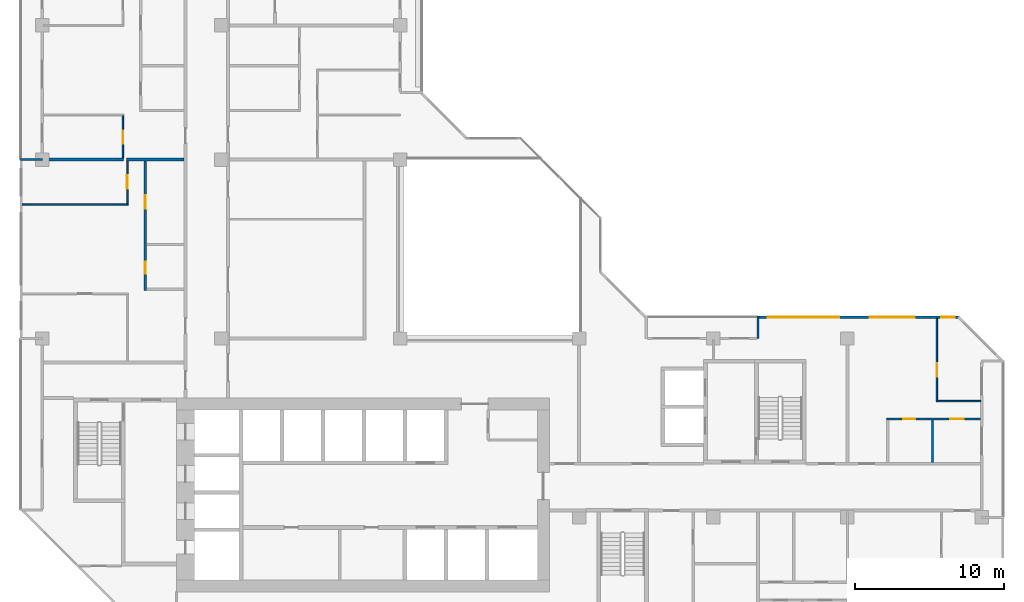
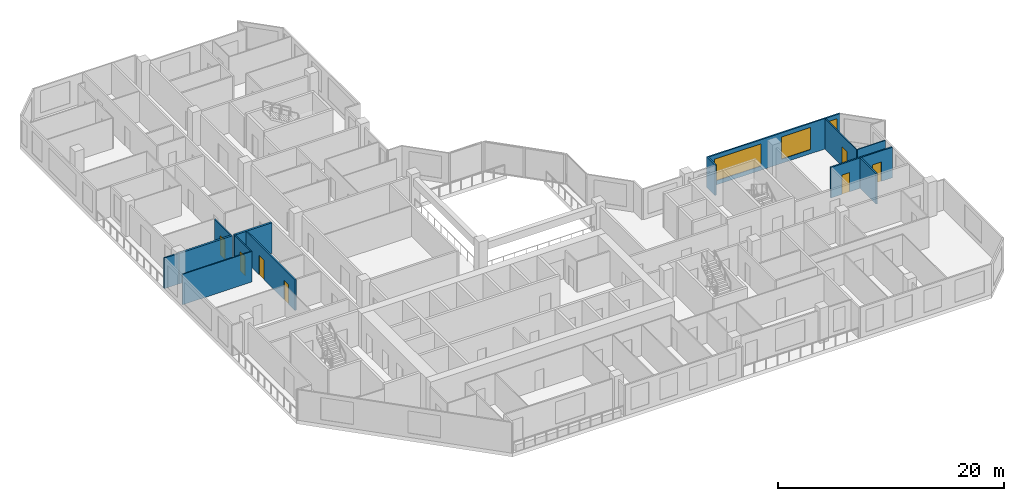
# One storey, part 8 of 15: 13 walls, 7 doors, 3 windows, 10 openings.
"""IFC4 building model written with IfcOpenShell, lengths in metres."""

from ifc_helpers import new_model, si_unit, direction, frame, frame_2d, origin, place, context, subcontext, project, spatial, rectangle, extrude, material, layer, layer_set, type_object, element, fill, save


model = new_model("IFC4")

# Units and contexts
model_context = context("Model", 3, precision=1e-05, world=origin(), true_north=direction((0.0, 1.0)))
body_context = subcontext(model_context, "Body", "Model", "MODEL_VIEW")
ifc_project = project(units=[si_unit("LENGTHUNIT", "METRE"), si_unit("AREAUNIT", "SQUARE_METRE"), si_unit("VOLUMEUNIT", "CUBIC_METRE"), si_unit("PLANEANGLEUNIT", "RADIAN"), si_unit("MASSUNIT", "GRAM", prefix="KILO")], contexts=[model_context])

# Site, building, storey
site_placement = place(None, origin())
site = spatial("IfcSite", under=ifc_project, at=site_placement, CompositionType="ELEMENT")
building_placement = place(site_placement, origin())
building = spatial("IfcBuilding", under=site, at=building_placement, Name="Chenar Terraces", CompositionType="ELEMENT")
storey_placement = place(building_placement, frame((0.0, 0.0, 202.39990234375)))
storey = spatial("IfcBuildingStorey", under=building, at=storey_placement, Name="L47", CompositionType="ELEMENT", Elevation=202.39990234375)

# Wall, openings, windows
ifc_material_1 = material(Name="Aluminium framed glazing", Category="aluminium")
ifc_layer_1 = layer(ifc_material_1, 0.14990234375)
ifc_layer_set_1 = layer_set([ifc_layer_1], Name="Aluminium framed glazing")
wall_type_1 = type_object("IfcWallType", Name="Glazed flush facade wall 150", PredefinedType="SOLIDWALL", material=ifc_layer_set_1)
wall_1_placement = place(storey_placement, frame((61.5, 25.425048828125, 0.0), z_axis=(0.0, 0.0, 1.0), x_axis=(-1.0, 0.0, 0.0)))
wall_1 = element("IfcWall", 1, at=wall_1_placement, inside=storey, type_object=wall_type_1, Name="Glazed flush facade wall", PredefinedType="SOLIDWALL", context=body_context, shape_type="SweptSolid", body=[
    extrude(rectangle(XDim=13.425048828125, YDim=0.14990234375, at=frame_2d((6.71240234375, 0.0))), origin(), (0.0, 0.0, 1.0), 3.300048828125),
])
opening_1_placement = place(wall_1_placement, frame((0.300048828125, 0.0, 0.449951171875)))
opening_1 = element("IfcOpeningElement", 2, at=opening_1_placement, cuts=wall_1, Name="Opening W90x240", PredefinedType="OPENING", context=body_context, shape_type="SweptSolid", body=[
    extrude(rectangle(XDim=0.89990234375, YDim=2.39990234375, at=frame_2d((0.449951171875, 1.199951171875))), frame((0.0, 0.0849609375, 0.0), z_axis=(0.0, -1.0, 0.0), x_axis=(1.0, 0.0, 0.0)), (0.0, 0.0, 1.0), 0.169921875),
])
opening_2_placement = place(wall_1_placement, frame((3.0, 0.0, 0.449951171875)))
opening_2 = element("IfcOpeningElement", 3, at=opening_2_placement, cuts=wall_1, Name="Opening W300x240", PredefinedType="OPENING", context=body_context, shape_type="SweptSolid", body=[
    extrude(rectangle(XDim=3.0, YDim=2.39990234375, at=frame_2d((1.5, 1.199951171875))), frame((0.0, 0.0849609375, 0.0), z_axis=(0.0, -1.0, 0.0), x_axis=(1.0, 0.0, 0.0)), (0.0, 0.0, 1.0), 0.169921875),
])
opening_3_placement = place(wall_1_placement, frame((8.0625, 0.0, 0.449951171875)))
opening_3 = element("IfcOpeningElement", 4, at=opening_3_placement, cuts=wall_1, Name="Opening W480x240", PredefinedType="OPENING", context=body_context, shape_type="SweptSolid", body=[
    extrude(rectangle(XDim=4.800048828125, YDim=2.39990234375, at=frame_2d((2.39990234375, 1.199951171875))), frame((0.0, 0.0849609375, 0.0), z_axis=(0.0, -1.0, 0.0), x_axis=(1.0, 0.0, 0.0)), (0.0, 0.0, 1.0), 0.169921875),
])
ifc_material_2 = material(Name="Low emissivity double glazing, aluminium frame", Category="aluminium")
window_type_1 = type_object("IfcWindowType", Name="Fixed light 3000 x 2400", PartitioningType="SINGLE_PANEL", PredefinedType="WINDOW", material=ifc_material_2)
window_1_placement = place(opening_2_placement, origin())
window_1 = element("IfcWindow", 5, at=window_1_placement, inside=storey, type_object=window_type_1, Name="Window", OverallHeight=2.39990234375, OverallWidth=3.0, PartitioningType="SINGLE_PANEL", PredefinedType="WINDOW", context=body_context, shape_type="SweptSolid", body=[
    extrude(rectangle(XDim=3.0, YDim=2.39990234375, at=frame_2d((1.5, 1.199951171875))), frame((0.0, 0.030029296875, 0.0), z_axis=(0.0, -1.0, 0.0), x_axis=(1.0, 0.0, 0.0)), (0.0, 0.0, 1.0), 0.06005859375),
])
fill(opening_2, window_1)
ifc_material_3 = material(Name="Low emissivity double glazing, aluminium frame", Category="aluminium")
window_type_2 = type_object("IfcWindowType", Name="Fixed light 4800 x 2400", PartitioningType="SINGLE_PANEL", PredefinedType="WINDOW", material=ifc_material_3)
window_2_placement = place(opening_3_placement, origin())
window_2 = element("IfcWindow", 6, at=window_2_placement, inside=storey, type_object=window_type_2, Name="Window", OverallHeight=2.39990234375, OverallWidth=4.800048828125, PartitioningType="SINGLE_PANEL", PredefinedType="WINDOW", context=body_context, shape_type="SweptSolid", body=[
    extrude(rectangle(XDim=4.800048828125, YDim=2.39990234375, at=frame_2d((2.39990234375, 1.199951171875))), frame((0.0, 0.030029296875, 0.0), z_axis=(0.0, -1.0, 0.0), x_axis=(1.0, 0.0, 0.0)), (0.0, 0.0, 1.0), 0.06005859375),
])
fill(opening_3, window_2)
ifc_material_4 = material(Name="Low emissivity double glazing, aluminium frame", Category="aluminium")
window_type_3 = type_object("IfcWindowType", Name="Fixed light 900 x 2400", PartitioningType="SINGLE_PANEL", PredefinedType="WINDOW", material=ifc_material_4)
window_3_placement = place(opening_1_placement, origin())
window_3 = element("IfcWindow", 7, at=window_3_placement, inside=storey, type_object=window_type_3, Name="Window", OverallHeight=2.39990234375, OverallWidth=0.89990234375, PartitioningType="SINGLE_PANEL", PredefinedType="WINDOW", context=body_context, shape_type="SweptSolid", body=[
    extrude(rectangle(XDim=0.89990234375, YDim=2.39990234375, at=frame_2d((0.449951171875, 1.199951171875))), frame((0.0, 0.030029296875, 0.0), z_axis=(0.0, -1.0, 0.0), x_axis=(1.0, 0.0, 0.0)), (0.0, 0.0, 1.0), 0.06005859375),
])
fill(opening_1, window_3)

# Wall
ifc_material_5 = material(Name="Gypsum board on steel studs", Category="steel")
ifc_layer_2 = layer(ifc_material_5, 0.10009765625)
ifc_layer_set_2 = layer_set([ifc_layer_2], Name="Gypsum board on steel studs")
wall_type_2 = type_object("IfcWallType", Name="Gypsum partition 100", PredefinedType="PARTITIONING", material=ifc_layer_set_2)
wall_2_placement = place(storey_placement, frame((-1.35009765625, 33.0, 0.0), z_axis=(0.0, 0.0, 1.0), x_axis=(1.0, 0.0, 0.0)))
element("IfcWall", 8, at=wall_2_placement, inside=storey, type_object=wall_type_2, Name="Partition L47-003", PredefinedType="PARTITIONING", context=body_context, shape_type="SweptSolid", body=[
    extrude(rectangle(XDim=7.10009765625, YDim=0.10009765625, at=frame_2d((3.550048828125, 0.0))), origin(), (0.0, 0.0, 1.0), 3.300048828125),
])

# Wall, opening, door
wall_3_placement = place(storey_placement, frame((5.39990234375, 36.10009765625, 0.0), z_axis=(0.0, 0.0, 1.0), x_axis=(0.0, 1.0, 0.0)))
wall_3 = element("IfcWall", 9, at=wall_3_placement, inside=storey, type_object=wall_type_2, Name="Partition L47-013", PredefinedType="PARTITIONING", context=body_context, shape_type="SweptSolid", body=[
    extrude(rectangle(XDim=2.849853515625, YDim=0.10009765625, at=frame_2d((1.4248046875, 0.0))), origin(), (0.0, 0.0, 1.0), 3.300048828125),
])
opening_4_placement = place(wall_3_placement, frame((0.949951171875, 0.0, 0.0)))
opening_4 = element("IfcOpeningElement", 10, at=opening_4_placement, cuts=wall_3, Name="Opening DL47-26", PredefinedType="OPENING", context=body_context, shape_type="SweptSolid", body=[
    extrude(rectangle(XDim=0.89990234375, YDim=2.10009765625, at=frame_2d((0.449951171875, 1.050048828125))), frame((0.0, 0.06005859375, 0.0), z_axis=(0.0, -1.0, 0.0), x_axis=(1.0, 0.0, 0.0)), (0.0, 0.0, 1.0), 0.1201171875),
])
ifc_material_6 = material(Name="Veneered timber door leaf", Category="wood")
door_type_1 = type_object("IfcDoorType", Name="Door 900 x 2100", OperationType="SINGLE_SWING_LEFT", PredefinedType="DOOR", material=ifc_material_6)
door_1_placement = place(opening_4_placement, origin())
door_1 = element("IfcDoor", 11, at=door_1_placement, inside=storey, type_object=door_type_1, Name="Door DL47-26", OperationType="SINGLE_SWING_RIGHT", OverallHeight=2.10009765625, OverallWidth=0.89990234375, PredefinedType="DOOR", context=body_context, shape_type="SweptSolid", body=[
    extrude(rectangle(XDim=0.89990234375, YDim=2.10009765625, at=frame_2d((0.449951171875, 1.050048828125))), frame((0.0, 0.02490234375, 0.0), z_axis=(0.0, -1.0, 0.0), x_axis=(1.0, 0.0, 0.0)), (0.0, 0.0, 1.0), 0.050048828125),
])
fill(opening_4, door_1)

wall_4_placement = place(storey_placement, frame((5.699951171875, 33.050048828125, 0.0), z_axis=(0.0, 0.0, 1.0), x_axis=(0.0, 1.0, 0.0)))
wall_4 = element("IfcWall", 12, at=wall_4_placement, inside=storey, type_object=wall_type_2, Name="Partition L47-020", PredefinedType="PARTITIONING", context=body_context, shape_type="SweptSolid", body=[
    extrude(rectangle(XDim=2.849853515625, YDim=0.10009765625, at=frame_2d((1.4248046875, 0.0))), origin(), (0.0, 0.0, 1.0), 3.300048828125),
])
opening_5_placement = place(wall_4_placement, frame((1.0, 0.0, 0.0)))
opening_5 = element("IfcOpeningElement", 13, at=opening_5_placement, cuts=wall_4, Name="Opening DL47-58", PredefinedType="OPENING", context=body_context, shape_type="SweptSolid", body=[
    extrude(rectangle(XDim=0.89990234375, YDim=2.10009765625, at=frame_2d((0.449951171875, 1.050048828125))), frame((0.0, 0.06005859375, 0.0), z_axis=(0.0, -1.0, 0.0), x_axis=(1.0, 0.0, 0.0)), (0.0, 0.0, 1.0), 0.1201171875),
])
door_2_placement = place(opening_5_placement, origin())
door_2 = element("IfcDoor", 14, at=door_2_placement, inside=storey, type_object=door_type_1, Name="Door DL47-58", OperationType="SINGLE_SWING_LEFT", OverallHeight=2.10009765625, OverallWidth=0.89990234375, PredefinedType="DOOR", context=body_context, shape_type="SweptSolid", body=[
    extrude(rectangle(XDim=0.89990234375, YDim=2.10009765625, at=frame_2d((0.449951171875, 1.050048828125))), frame((0.0, 0.02490234375, 0.0), z_axis=(0.0, -1.0, 0.0), x_axis=(1.0, 0.0, 0.0)), (0.0, 0.0, 1.0), 0.050048828125),
])
fill(opening_5, door_2)

wall_5_placement = place(storey_placement, frame((60.0, 19.75, 0.0), z_axis=(0.0, 0.0, 1.0), x_axis=(0.0, 1.0, 0.0)))
wall_5 = element("IfcWall", 15, at=wall_5_placement, inside=storey, type_object=wall_type_2, Name="Partition L47-087", PredefinedType="PARTITIONING", context=body_context, shape_type="SweptSolid", body=[
    extrude(rectangle(XDim=5.60009765625, YDim=0.10009765625, at=frame_2d((2.800048828125, 0.0))), origin(), (0.0, 0.0, 1.0), 3.300048828125),
])
opening_6_placement = place(wall_5_placement, frame((1.699951171875, 0.0, 0.0)))
opening_6 = element("IfcOpeningElement", 16, at=opening_6_placement, cuts=wall_5, Name="Opening DL47-5", PredefinedType="OPENING", context=body_context, shape_type="SweptSolid", body=[
    extrude(rectangle(XDim=0.89990234375, YDim=2.10009765625, at=frame_2d((0.449951171875, 1.050048828125))), frame((0.0, 0.06005859375, 0.0), z_axis=(0.0, -1.0, 0.0), x_axis=(1.0, 0.0, 0.0)), (0.0, 0.0, 1.0), 0.1201171875),
])
door_3_placement = place(opening_6_placement, frame((0.89990234375, 0.0, 0.0), z_axis=(0.0, 0.0, 1.0), x_axis=(-1.0, 0.0, 0.0)))
door_3 = element("IfcDoor", 17, at=door_3_placement, inside=storey, type_object=door_type_1, Name="Door DL47-5", OperationType="SINGLE_SWING_RIGHT", OverallHeight=2.10009765625, OverallWidth=0.89990234375, PredefinedType="DOOR", context=body_context, shape_type="SweptSolid", body=[
    extrude(rectangle(XDim=0.89990234375, YDim=2.10009765625, at=frame_2d((0.449951171875, 1.050048828125))), frame((0.0, 0.02490234375, 0.0), z_axis=(0.0, -1.0, 0.0), x_axis=(1.0, 0.0, 0.0)), (0.0, 0.0, 1.0), 0.050048828125),
])
fill(opening_6, door_3)

# Walls
wall_6_placement = place(storey_placement, frame((60.050048828125, 19.800048828125, 0.0), z_axis=(0.0, 0.0, 1.0), x_axis=(1.0, 0.0, 0.0)))
element("IfcWall", 18, at=wall_6_placement, inside=storey, type_object=wall_type_2, Name="Partition L47-088", PredefinedType="PARTITIONING", context=body_context, shape_type="SweptSolid", body=[
    extrude(rectangle(XDim=2.8759765625, YDim=0.10009765625, at=frame_2d((1.43798828125, 0.0))), origin(), (0.0, 0.0, 1.0), 3.300048828125),
])
ifc_material_7 = material(Name="Terracotta cladding on insulated backing", Category="masonry")
ifc_layer_3 = layer(ifc_material_7, 0.14990234375)
ifc_layer_set_3 = layer_set([ifc_layer_3], Name="Terracotta cladding on insulated backing")
wall_type_3 = type_object("IfcWallType", Name="Loggia return wall 150", PredefinedType="SOLIDWALL", material=ifc_layer_set_3)
for number, where, z_axis, x_axis, name in (
    (19, (48.0, 25.5, 0.0), (0.0, 0.0, 1.0), (0.0, -1.0, 0.0), "Loggia return wall"),
    (20, (-1.5, 36.0, 0.0), (0.0, 0.0, 1.0), (1.0, 0.0, 0.0), "Loggia return wall"),
):
    element("IfcWall", number, at=place(storey_placement, frame(where, z_axis=z_axis, x_axis=x_axis)), inside=storey, type_object=wall_type_3, Name=name, PredefinedType="SOLIDWALL", context=body_context, shape_type="SweptSolid", body=[
        extrude(rectangle(XDim=1.5, YDim=0.14990234375, at=frame_2d((0.75, 0.0))), origin(), (0.0, 0.0, 1.0), 3.300048828125),
    ])
ifc_material_8 = material(Name="Twin gypsum board on steel studs with mineral wool", Category="steel")
ifc_layer_4 = layer(ifc_material_8, 0.199951171875)
ifc_layer_set_4 = layer_set([ifc_layer_4], Name="Twin gypsum board on steel studs with mineral wool")
wall_type_4 = type_object("IfcWallType", Name="Unit demising wall 200", PredefinedType="PARTITIONING", material=ifc_layer_set_4)
wall_7_placement = place(storey_placement, frame((0.0, 36.0, 0.0), z_axis=(0.0, 0.0, 1.0), x_axis=(1.0, 0.0, 0.0)))
element("IfcWall", 21, at=wall_7_placement, inside=storey, type_object=wall_type_4, Name="Partition L47-004", PredefinedType="PARTITIONING", context=body_context, shape_type="SweptSolid", body=[
    extrude(rectangle(XDim=5.449951171875, YDim=0.199951171875, at=frame_2d((2.72509765625, 0.0))), origin(), (0.0, 0.0, 1.0), 3.300048828125),
])
wall_8_placement = place(storey_placement, frame((5.64990234375, 36.0, 0.0), z_axis=(0.0, 0.0, 1.0), x_axis=(1.0, 0.0, 0.0)))
element("IfcWall", 22, at=wall_8_placement, inside=storey, type_object=wall_type_4, Name="Partition L47-018", PredefinedType="PARTITIONING", context=body_context, shape_type="SweptSolid", body=[
    extrude(rectangle(XDim=3.85009765625, YDim=0.199951171875, at=frame_2d((1.925048828125, 0.0))), origin(), (0.0, 0.0, 1.0), 3.300048828125),
])

# Wall, openings, doors
ifc_material_9 = material(Name="Moisture-resistant gypsum board on steel studs", Category="steel")
ifc_layer_5 = layer(ifc_material_9, 0.14990234375)
ifc_layer_set_5 = layer_set([ifc_layer_5], Name="Moisture-resistant gypsum board on steel studs")
wall_type_5 = type_object("IfcWallType", Name="Wet-room partition 150", PredefinedType="PARTITIONING", material=ifc_layer_set_5)
wall_9_placement = place(storey_placement, frame((6.89990234375, 27.22509765625, 0.0), z_axis=(0.0, 0.0, 1.0), x_axis=(0.0, 1.0, 0.0)))
wall_9 = element("IfcWall", 23, at=wall_9_placement, inside=storey, type_object=wall_type_5, Name="Partition L47-028", PredefinedType="PARTITIONING", context=body_context, shape_type="SweptSolid", body=[
    extrude(rectangle(XDim=8.6748046875, YDim=0.14990234375, at=frame_2d((4.33740234375, 0.0))), origin(), (0.0, 0.0, 1.0), 3.300048828125),
])
opening_7_placement = place(wall_9_placement, frame((1.125, 0.0, 0.0)))
opening_7 = element("IfcOpeningElement", 24, at=opening_7_placement, cuts=wall_9, Name="Opening DL47-56", PredefinedType="OPENING", context=body_context, shape_type="SweptSolid", body=[
    extrude(rectangle(XDim=0.800048828125, YDim=2.10009765625, at=frame_2d((0.39990234375, 1.050048828125))), frame((0.0, 0.0849609375, 0.0), z_axis=(0.0, -1.0, 0.0), x_axis=(1.0, 0.0, 0.0)), (0.0, 0.0, 1.0), 0.169921875),
])
opening_8_placement = place(wall_9_placement, frame((5.47509765625, 0.0, 0.0)))
opening_8 = element("IfcOpeningElement", 25, at=opening_8_placement, cuts=wall_9, Name="Opening DL47-59", PredefinedType="OPENING", context=body_context, shape_type="SweptSolid", body=[
    extrude(rectangle(XDim=0.89990234375, YDim=2.10009765625, at=frame_2d((0.449951171875, 1.050048828125))), frame((0.0, 0.0849609375, 0.0), z_axis=(0.0, -1.0, 0.0), x_axis=(1.0, 0.0, 0.0)), (0.0, 0.0, 1.0), 0.169921875),
])
ifc_material_10 = material(Name="Veneered timber door leaf", Category="wood")
door_type_2 = type_object("IfcDoorType", Name="Door 800 x 2100", OperationType="SINGLE_SWING_LEFT", PredefinedType="DOOR", material=ifc_material_10)
door_4_placement = place(opening_7_placement, frame((0.800048828125, 0.0, 0.0), z_axis=(0.0, 0.0, 1.0), x_axis=(-1.0, 0.0, 0.0)))
door_4 = element("IfcDoor", 26, at=door_4_placement, inside=storey, type_object=door_type_2, Name="Door DL47-56", OperationType="SINGLE_SWING_RIGHT", OverallHeight=2.10009765625, OverallWidth=0.800048828125, PredefinedType="DOOR", context=body_context, shape_type="SweptSolid", body=[
    extrude(rectangle(XDim=0.800048828125, YDim=2.10009765625, at=frame_2d((0.39990234375, 1.050048828125))), frame((0.0, 0.02490234375, 0.0), z_axis=(0.0, -1.0, 0.0), x_axis=(1.0, 0.0, 0.0)), (0.0, 0.0, 1.0), 0.050048828125),
])
fill(opening_7, door_4)
door_5_placement = place(opening_8_placement, frame((0.89990234375, 0.0, 0.0), z_axis=(0.0, 0.0, 1.0), x_axis=(-1.0, 0.0, 0.0)))
door_5 = element("IfcDoor", 27, at=door_5_placement, inside=storey, type_object=door_type_1, Name="Door DL47-59", OperationType="SINGLE_SWING_RIGHT", OverallHeight=2.10009765625, OverallWidth=0.89990234375, PredefinedType="DOOR", context=body_context, shape_type="SweptSolid", body=[
    extrude(rectangle(XDim=0.89990234375, YDim=2.10009765625, at=frame_2d((0.449951171875, 1.050048828125))), frame((0.0, 0.02490234375, 0.0), z_axis=(0.0, -1.0, 0.0), x_axis=(1.0, 0.0, 0.0)), (0.0, 0.0, 1.0), 0.050048828125),
])
fill(opening_8, door_5)

wall_10_placement = place(storey_placement, frame((56.625, 18.60009765625, 0.0), z_axis=(0.0, 0.0, 1.0), x_axis=(1.0, 0.0, 0.0)))
wall_10 = element("IfcWall", 28, at=wall_10_placement, inside=storey, type_object=wall_type_5, Name="Partition L47-083", PredefinedType="PARTITIONING", context=body_context, shape_type="SweptSolid", body=[
    extrude(rectangle(XDim=6.301025390625, YDim=0.14990234375, at=frame_2d((3.150390625, 0.0))), origin(), (0.0, 0.0, 1.0), 3.300048828125),
])
opening_9_placement = place(wall_10_placement, frame((1.125, 0.0, 0.0)))
opening_9 = element("IfcOpeningElement", 29, at=opening_9_placement, cuts=wall_10, Name="Opening DL47-4", PredefinedType="OPENING", context=body_context, shape_type="SweptSolid", body=[
    extrude(rectangle(XDim=0.800048828125, YDim=2.10009765625, at=frame_2d((0.39990234375, 1.050048828125))), frame((0.0, 0.0849609375, 0.0), z_axis=(0.0, -1.0, 0.0), x_axis=(1.0, 0.0, 0.0)), (0.0, 0.0, 1.0), 0.169921875),
])
opening_10_placement = place(wall_10_placement, frame((4.27490234375, 0.0, 0.0)))
opening_10 = element("IfcOpeningElement", 30, at=opening_10_placement, cuts=wall_10, Name="Opening DL47-6", PredefinedType="OPENING", context=body_context, shape_type="SweptSolid", body=[
    extrude(rectangle(XDim=0.89990234375, YDim=2.10009765625, at=frame_2d((0.449951171875, 1.050048828125))), frame((0.0, 0.0849609375, 0.0), z_axis=(0.0, -1.0, 0.0), x_axis=(1.0, 0.0, 0.0)), (0.0, 0.0, 1.0), 0.169921875),
])
door_6_placement = place(opening_9_placement, frame((0.800048828125, 0.0, 0.0), z_axis=(0.0, 0.0, 1.0), x_axis=(-1.0, 0.0, 0.0)))
door_6 = element("IfcDoor", 31, at=door_6_placement, inside=storey, type_object=door_type_2, Name="Door DL47-4", OperationType="SINGLE_SWING_RIGHT", OverallHeight=2.10009765625, OverallWidth=0.800048828125, PredefinedType="DOOR", context=body_context, shape_type="SweptSolid", body=[
    extrude(rectangle(XDim=0.800048828125, YDim=2.10009765625, at=frame_2d((0.39990234375, 1.050048828125))), frame((0.0, 0.02490234375, 0.0), z_axis=(0.0, -1.0, 0.0), x_axis=(1.0, 0.0, 0.0)), (0.0, 0.0, 1.0), 0.050048828125),
])
fill(opening_9, door_6)
door_7_placement = place(opening_10_placement, frame((0.89990234375, 0.0, 0.0), z_axis=(0.0, 0.0, 1.0), x_axis=(-1.0, 0.0, 0.0)))
door_7 = element("IfcDoor", 32, at=door_7_placement, inside=storey, type_object=door_type_1, Name="Door DL47-6", OperationType="SINGLE_SWING_RIGHT", OverallHeight=2.10009765625, OverallWidth=0.89990234375, PredefinedType="DOOR", context=body_context, shape_type="SweptSolid", body=[
    extrude(rectangle(XDim=0.89990234375, YDim=2.10009765625, at=frame_2d((0.449951171875, 1.050048828125))), frame((0.0, 0.02490234375, 0.0), z_axis=(0.0, -1.0, 0.0), x_axis=(1.0, 0.0, 0.0)), (0.0, 0.0, 1.0), 0.050048828125),
])
fill(opening_10, door_7)

# Wall
wall_11_placement = place(storey_placement, frame((59.699951171875, 15.699951171875, 0.0), z_axis=(0.0, 0.0, 1.0), x_axis=(0.0, 1.0, 0.0)))
element("IfcWall", 33, at=wall_11_placement, inside=storey, type_object=wall_type_5, Name="Partition L47-086", PredefinedType="PARTITIONING", context=body_context, shape_type="SweptSolid", body=[
    extrude(rectangle(XDim=2.824951171875, YDim=0.14990234375, at=frame_2d((1.41259765625, 0.0))), origin(), (0.0, 0.0, 1.0), 3.300048828125),
])

save(model, "model.ifc")
